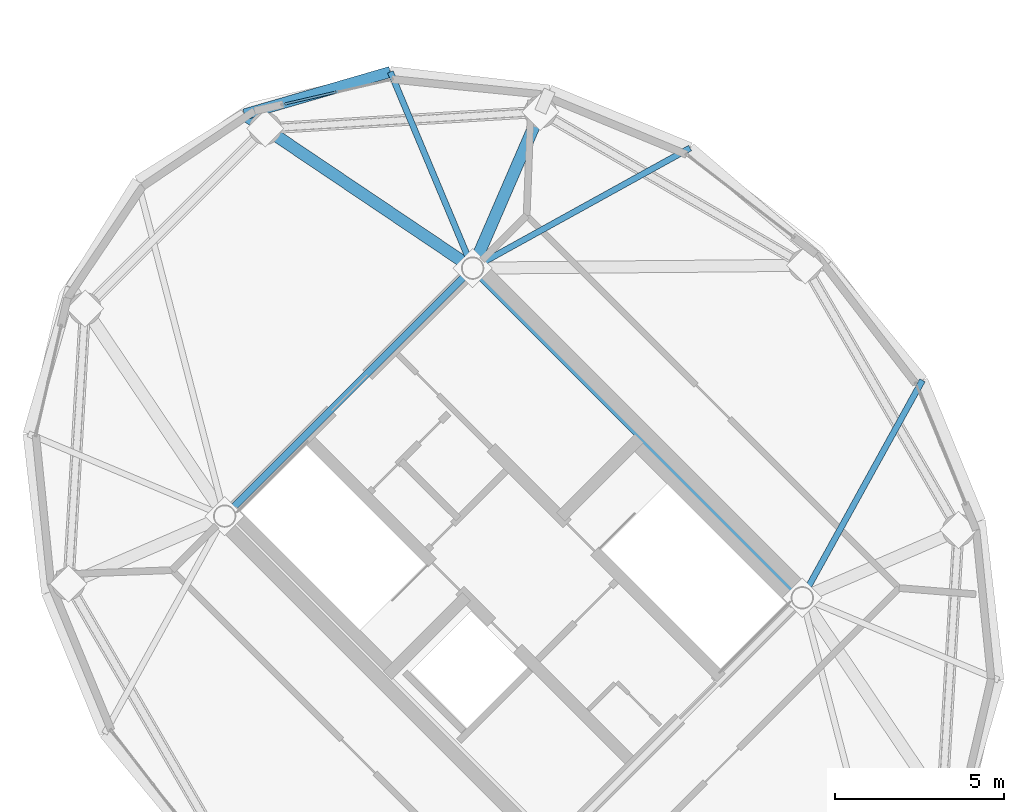
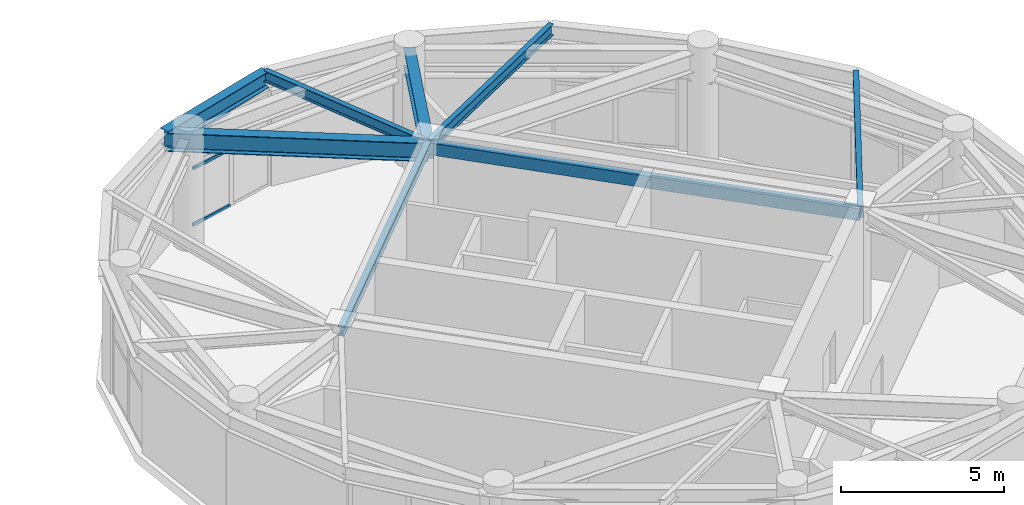
# One storey, part 16 of 26: 8 beams, 3 members, 1 element without a shape of its own.
"""IFC4 building model written with IfcOpenShell, lengths in metres."""

from ifc_helpers import new_model, si_unit, direction, frame, origin, origin_2d, place, context, subcontext, project, spatial, hollow_rectangle, i_section, extrude, material, layer, layer_set, material_profile, profile_set, type_object, element, aggregate, save


model = new_model("IFC4")

# Units and contexts
model_context = context("Model", 3, precision=1e-05, world=origin(), true_north=direction((0.0, 1.0)))
body_context = subcontext(model_context, "Body", "Model", "MODEL_VIEW")
ifc_project = project(units=[si_unit("LENGTHUNIT", "METRE"), si_unit("AREAUNIT", "SQUARE_METRE"), si_unit("VOLUMEUNIT", "CUBIC_METRE"), si_unit("PLANEANGLEUNIT", "RADIAN"), si_unit("MASSUNIT", "GRAM", prefix="KILO")], contexts=[model_context])

# Site, building, storey
site_placement = place(None, origin())
site = spatial("IfcSite", under=ifc_project, at=site_placement, CompositionType="ELEMENT")
building_placement = place(site_placement, origin())
building = spatial("IfcBuilding", under=site, at=building_placement, Name="Cununo Teusaquillo Station Towers", CompositionType="ELEMENT")
storey_placement = place(building_placement, frame((0.0, 0.0, 240.330078125)))
storey = spatial("IfcBuildingStorey", under=building, at=storey_placement, Name="L76", CompositionType="ELEMENT", Elevation=240.330078125)

# Beams
ifc_material_1 = material(Name="Steel EN 10025-2 S355J2", Category="steel")
ifc_material_profile_1 = material_profile(ifc_material_1, hollow_rectangle(XDim=0.25, YDim=0.449951171875, WallThickness=0.01611328125, at=origin_2d()), Name="RHS 450x250x16")
ifc_profile_set_1 = profile_set([ifc_material_profile_1], Name="Steel EN 10025-2 S355J2")
beam_type_1 = type_object("IfcBeamType", Name="BM-COUP-1", PredefinedType="USERDEFINED", material=ifc_profile_set_1)
beam_1_placement = place(storey_placement, frame((66.024169921875, 23.29443359375, 3.974853515625), z_axis=(-0.707106781187, 0.707106781187, 0.0), x_axis=(-0.707106781187, -0.707106781187, 0.0)))
element("IfcBeam", 1, at=beam_1_placement, inside=storey, type_object=beam_type_1, Name="L76 Tower B Core Beam 2", ObjectType="COUPLING BEAM", PredefinedType="USERDEFINED", context=body_context, shape_type="SweptSolid", body=[
    extrude(hollow_rectangle(XDim=0.25, YDim=0.449951171875, WallThickness=0.01611328125, at=origin_2d()), origin(), (0.0, 0.0, 1.0), 13.760009765625),
])
ifc_material_2 = material(Name="Steel ASTM A572 Grade 50", Category="steel")
ifc_material_profile_2 = material_profile(ifc_material_2, i_section(OverallWidth=0.180908203125, OverallDepth=0.4169921875, WebThickness=0.010986328125, FlangeThickness=0.018310546875, FilletRadius=0.012939453125, at=origin_2d()), Name="W16X57")
ifc_profile_set_2 = profile_set([ifc_material_profile_2], Name="Steel ASTM A572 Grade 50")
beam_type_2 = type_object("IfcBeamType", Name="BM-JOIST-1", PredefinedType="JOIST", material=ifc_profile_set_2)
beam_2_placement = place(storey_placement, frame((56.29443359375, 33.024169921875, 3.991455078125), z_axis=(0.8753153358, 0.483552544108, 0.0), x_axis=(-0.483552544108, 0.8753153358, 0.0)))
element("IfcBeam", 2, at=beam_2_placement, inside=storey, type_object=beam_type_2, Name="L76 Tower B Radial Spandrel Joist V01", PredefinedType="JOIST", context=body_context, shape_type="SweptSolid", body=[
    extrude(i_section(OverallWidth=0.180908203125, OverallDepth=0.4169921875, WebThickness=0.010986328125, FlangeThickness=0.018310546875, FilletRadius=0.012939453125, at=origin_2d()), origin(), (0.0, 0.0, 1.0), 7.3330078125),
])
beam_3_placement = place(storey_placement, frame((56.29443359375, 33.024169921875, 3.991455078125), z_axis=(-0.386786389381, 0.922169338565, 0.0), x_axis=(-0.922169338565, -0.386786389381, 0.0)))
element("IfcBeam", 3, at=beam_3_placement, inside=storey, type_object=beam_type_2, Name="L76 Tower B Radial Spandrel Joist V03", PredefinedType="JOIST", context=body_context, shape_type="SweptSolid", body=[
    extrude(i_section(OverallWidth=0.180908203125, OverallDepth=0.4169921875, WebThickness=0.010986328125, FlangeThickness=0.018310546875, FilletRadius=0.012939453125, at=origin_2d()), origin(), (0.0, 0.0, 1.0), 6.281005859375),
])
beam_4_placement = place(storey_placement, frame((66.024169921875, 23.29443359375, 3.991455078125), z_axis=(0.483552544108, 0.8753153358, 0.0), x_axis=(-0.8753153358, 0.483552544108, 0.0)))
element("IfcBeam", 4, at=beam_4_placement, inside=storey, type_object=beam_type_2, Name="L76 Tower B Radial Spandrel Joist V19", PredefinedType="JOIST", context=body_context, shape_type="SweptSolid", body=[
    extrude(i_section(OverallWidth=0.180908203125, OverallDepth=0.4169921875, WebThickness=0.010986328125, FlangeThickness=0.018310546875, FilletRadius=0.012939453125, at=origin_2d()), origin(), (0.0, 0.0, 1.0), 7.3330078125),
])
ifc_material_3 = material(Name="Steel ASTM A572 Grade 50", Category="steel")
ifc_material_profile_3 = material_profile(ifc_material_3, i_section(OverallWidth=0.2041015625, OverallDepth=0.35009765625, WebThickness=0.008544921875, FlangeThickness=0.01513671875, FilletRadius=0.011962890625, at=origin_2d()), Name="W14X48")
ifc_profile_set_3 = profile_set([ifc_material_profile_3], Name="Steel ASTM A572 Grade 50")
beam_type_3 = type_object("IfcBeamType", Name="BM-LINTEL-1", PredefinedType="LINTEL", material=ifc_profile_set_3)
beam_5_placement = place(storey_placement, frame((48.975830078125, 25.70556640625, 4.02490234375), z_axis=(0.707106781187, 0.707106781187, 0.0), x_axis=(-0.707106781187, 0.707106781187, 0.0)))
element("IfcBeam", 5, at=beam_5_placement, inside=storey, type_object=beam_type_3, Name="L76 Tower B Core Beam 4", PredefinedType="LINTEL", context=body_context, shape_type="SweptSolid", body=[
    extrude(i_section(OverallWidth=0.2041015625, OverallDepth=0.35009765625, WebThickness=0.008544921875, FlangeThickness=0.01513671875, FilletRadius=0.011962890625, at=origin_2d()), origin(), (0.0, 0.0, 1.0), 10.35009765625),
])
ifc_material_4 = material(Name="Steel ASTM A572 Grade 50", Category="steel")
ifc_material_profile_4 = material_profile(ifc_material_4, i_section(OverallWidth=0.35498046875, OverallDepth=0.696044921875, WebThickness=0.015380859375, FlangeThickness=0.02490234375, FilletRadius=0.01806640625, at=origin_2d()), Name="W27X146")
ifc_profile_set_4 = profile_set([ifc_material_profile_4], Name="Steel ASTM A572 Grade 50")
beam_type_4 = type_object("IfcBeamType", Name="BM-PLNT-G1", PredefinedType="BEAM", material=ifc_profile_set_4)
beam_6_placement = place(storey_placement, frame((56.29443359375, 33.024169921875, 3.851806640625), z_axis=(0.397346986387, 0.917668443616, 0.0), x_axis=(-0.917668443616, 0.397346986387, 0.0)))
element("IfcBeam", 6, at=beam_6_placement, inside=storey, type_object=beam_type_4, Name="L76 Tower B Radial Girder 02A", PredefinedType="BEAM", context=body_context, shape_type="SweptSolid", body=[
    extrude(i_section(OverallWidth=0.35498046875, OverallDepth=0.696044921875, WebThickness=0.015380859375, FlangeThickness=0.02490234375, FilletRadius=0.01806640625, at=origin_2d()), origin(), (0.0, 0.0, 1.0), 5.02490234375),
])
beam_7_placement = place(storey_placement, frame((56.29443359375, 33.024169921875, 3.851806640625), z_axis=(-0.829456817529, 0.558570844079, 0.0), x_axis=(-0.558570844079, -0.829456817529, 0.0)))
element("IfcBeam", 7, at=beam_7_placement, inside=storey, type_object=beam_type_4, Name="L76 Tower B Continuous Overhanging Radial Girder 03", PredefinedType="BEAM", context=body_context, shape_type="SweptSolid", body=[
    extrude(i_section(OverallWidth=0.35498046875, OverallDepth=0.696044921875, WebThickness=0.015380859375, FlangeThickness=0.02490234375, FilletRadius=0.01806640625, at=origin_2d()), origin(), (0.0, 0.0, 1.0), 8.1240234375),
])
ifc_material_5 = material(Name="Steel ASTM A572 Grade 50", Category="steel")
ifc_material_profile_5 = material_profile(ifc_material_5, i_section(OverallWidth=0.324951171875, OverallDepth=0.615966796875, WebThickness=0.013916015625, FlangeThickness=0.021484375, FilletRadius=0.01611328125, at=origin_2d()), Name="W24X117")
ifc_profile_set_5 = profile_set([ifc_material_profile_5], Name="Steel ASTM A572 Grade 50")
beam_type_5 = type_object("IfcBeamType", Name="BM-PLNT-G2", PredefinedType="BEAM", material=ifc_profile_set_5)
beam_8_placement = place(storey_placement, frame((53.864990234375, 38.81640625, 3.891845703125), z_axis=(-0.96014487762, -0.279502797802, 0.0), x_axis=(0.279502797802, -0.96014487762, 0.0)))
element("IfcBeam", 8, at=beam_8_placement, inside=storey, type_object=beam_type_5, Name="L76 Tower B Spandrel Ring Beam 04", PredefinedType="BEAM", context=body_context, shape_type="SweptSolid", body=[
    extrude(i_section(OverallWidth=0.324951171875, OverallDepth=0.615966796875, WebThickness=0.013916015625, FlangeThickness=0.021484375, FilletRadius=0.01611328125, at=origin_2d()), origin(), (0.0, 0.0, 1.0), 4.488037109375),
])

# Curtain wall, members
ifc_material_6 = material(Name="Ceramic-fritted dark low-E double glazing", Category="glass")
ifc_layer = layer(ifc_material_6, 0.179931640625)
ifc_layer_set = layer_set([ifc_layer], Name="Ceramic-fritted dark low-E double glazing")
curtain_wall_type = type_object("IfcCurtainWallType", Name="CW-SYS-08", PredefinedType="USERDEFINED", material=ifc_layer_set)
curtain_wall_placement = place(storey_placement, origin())
curtain_wall = element("IfcCurtainWall", 9, at=curtain_wall_placement, inside=storey, type_object=curtain_wall_type, Name="L76 Tower B Crown Drum Glazed Screen C03", ObjectType="FRITTED GLAZING", PredefinedType="USERDEFINED")
ifc_material_7 = material(Name="Anodised dark bronze aluminium EN AW-6063-T6", Category="aluminium")
ifc_material_profile_6 = material_profile(ifc_material_7, hollow_rectangle(XDim=0.06494140625, YDim=0.1201171875, WallThickness=0.00390625, at=origin_2d()), Name="CW-TRAN-65x120")
ifc_profile_set_6 = profile_set([ifc_material_profile_6], Name="Anodised dark bronze aluminium EN AW-6063-T6")
member_type = type_object("IfcMemberType", Name="CWT-120", PredefinedType="USERDEFINED", material=ifc_profile_set_6)
member_1_placement = place(storey_placement, frame((50.74755859375, 37.86962890625, 0.032470703125), z_axis=(0.974247893937, 0.225479580359, 0.0), x_axis=(-0.225479580359, 0.974247893937, 0.0)))
member_1 = element("IfcMember", 10, at=member_1_placement, type_object=member_type, Name="CW-08 transom 1.1", ObjectType="TRANSOM", PredefinedType="USERDEFINED", context=body_context, shape_type="SweptSolid", body=[
    extrude(hollow_rectangle(XDim=0.06494140625, YDim=0.1201171875, WallThickness=0.00390625, at=origin_2d()), origin(), (0.0, 0.0, 1.0), 1.552734375),
])
member_2_placement = place(storey_placement, frame((50.74755859375, 37.86962890625, 2.14990234375), z_axis=(0.974247893937, 0.225479580359, 0.0), x_axis=(-0.225479580359, 0.974247893937, 0.0)))
member_2 = element("IfcMember", 11, at=member_2_placement, type_object=member_type, Name="CW-08 transom 1.2", ObjectType="TRANSOM", PredefinedType="USERDEFINED", context=body_context, shape_type="SweptSolid", body=[
    extrude(hollow_rectangle(XDim=0.06494140625, YDim=0.1201171875, WallThickness=0.00390625, at=origin_2d()), origin(), (0.0, 0.0, 1.0), 1.552734375),
])
member_3_placement = place(storey_placement, frame((50.74755859375, 37.86962890625, 3.5234375), z_axis=(0.974247893937, 0.225479580359, 0.0), x_axis=(-0.225479580359, 0.974247893937, 0.0)))
member_3 = element("IfcMember", 12, at=member_3_placement, type_object=member_type, Name="CW-08 transom 1.3", ObjectType="TRANSOM", PredefinedType="USERDEFINED", context=body_context, shape_type="SweptSolid", body=[
    extrude(hollow_rectangle(XDim=0.06494140625, YDim=0.1201171875, WallThickness=0.00390625, at=origin_2d()), origin(), (0.0, 0.0, 1.0), 1.552734375),
])
aggregate(curtain_wall, [member_1, member_2, member_3])

save(model, "model.ifc")
